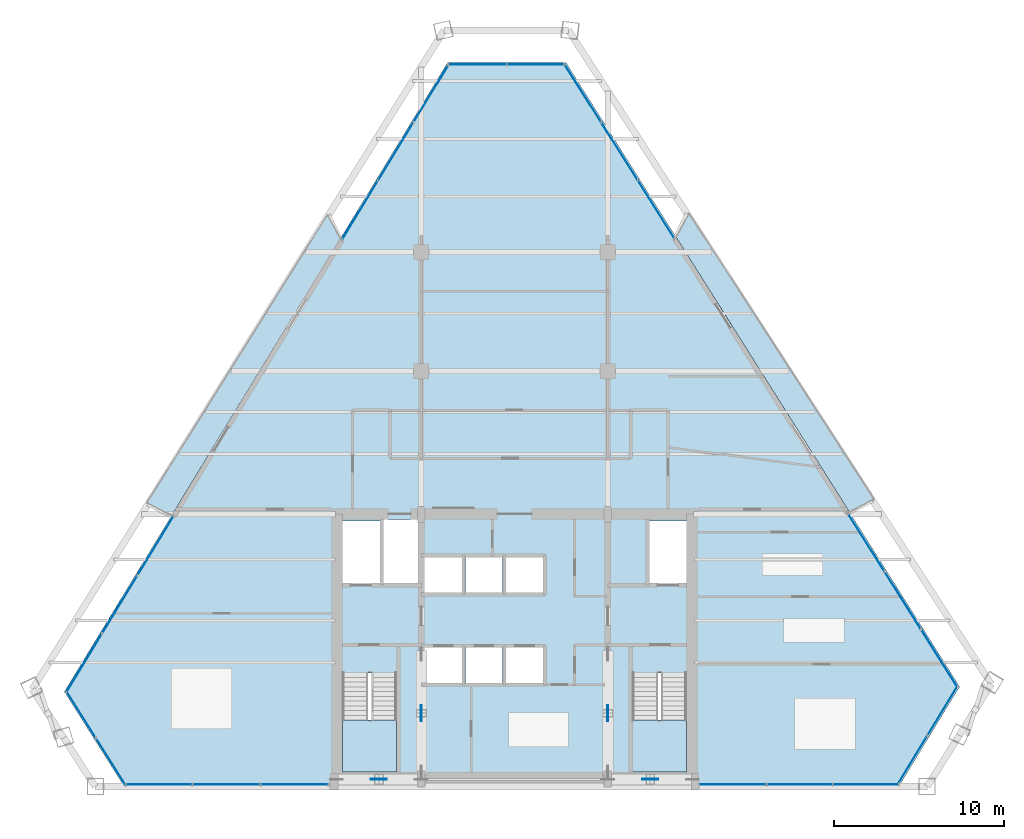
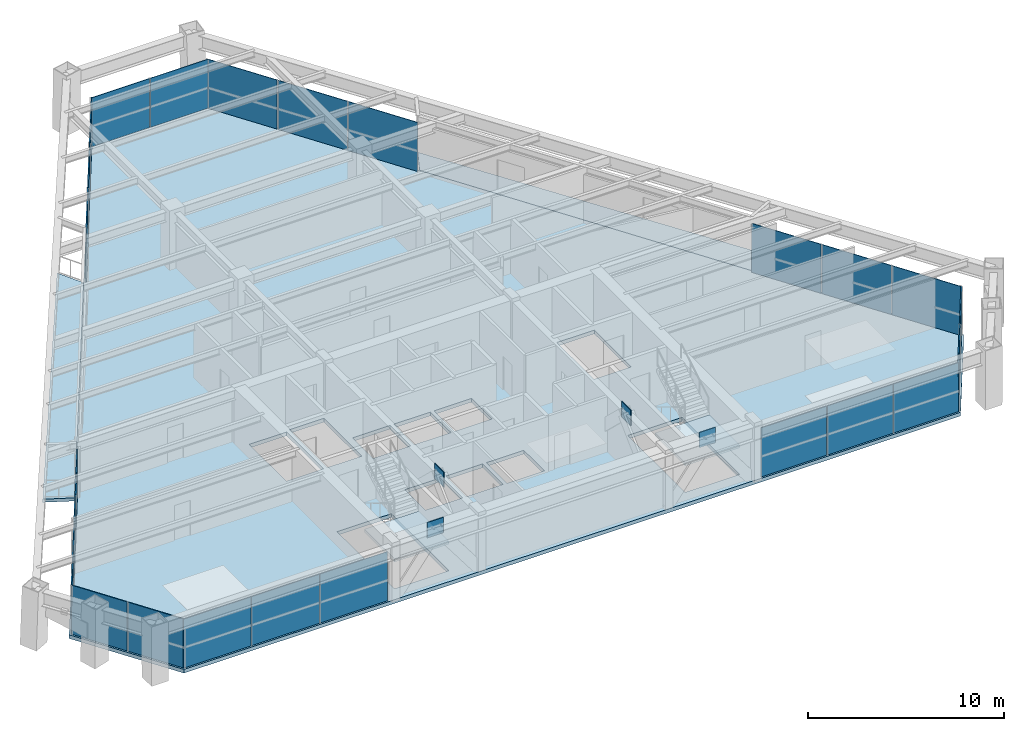
# One storey, part 8 of 13: 28 plates, 5 slabs, 11 elements without a shape of their own.
"""IFC4 building model written with IfcOpenShell, lengths in metres."""

import ifcopenshell
import ifcopenshell.guid

model = None  # the IFC model being written
_history = None  # IfcOwnerHistory: only IFC2X3 demands one
_inside = {}  # id of a spatial element -> (the spatial element, [elements in it])
_under = {}  # id of a project, library or spatial element -> (it, [spatial elements below it])
_declared = {}  # id of a project -> (the project, [libraries it declares])
_typed = {}  # id of a type object -> (the type object, [elements of that type])
_made_of = {}  # id of a material, layer set ... -> (it, [elements and type objects made of it])


def new_model(schema):
    """Start an empty IFC model of exactly this schema.

    Asked for "IFC4X3", IfcOpenShell would pick the latest addendum, in which some entities
    have other attributes; the version numbers below select the first issue.
    IFC2X3 requires an IfcOwnerHistory on every rooted entity: one is made here for all.
    """
    global model, _history
    if schema == "IFC4X3":
        model = ifcopenshell.file(schema_version=(4, 3, 0, 0))
    else:
        model = ifcopenshell.file(schema=schema)
    _inside.clear()
    _under.clear()
    _declared.clear()
    _typed.clear()
    _made_of.clear()
    _history = None
    if model.schema == "IFC2X3":
        org = make("IfcOrganization", Name="unknown")
        user = make(
            "IfcPersonAndOrganization",
            ThePerson=make("IfcPerson", FamilyName="unknown"),
            TheOrganization=org,
        )
        app = make(
            "IfcApplication",
            ApplicationDeveloper=org,
            Version="unknown",
            ApplicationFullName="unknown",
            ApplicationIdentifier="unknown",
        )
        _history = make(
            "IfcOwnerHistory",
            OwningUser=user,
            OwningApplication=app,
            ChangeAction="ADDED",
            CreationDate=0,
        )
    return model


def make(cls, **values):
    """One entity of the class cls with the attributes given. An attribute that is None is left unset."""
    return model.create_entity(
        cls, **{name: value for name, value in values.items() if value is not None}
    )


def rooted(cls, **values):
    """An entity with a GlobalId (a new one), such as an element, a storey or a relation."""
    return make(cls, GlobalId=ifcopenshell.guid.new(), OwnerHistory=_history, **values)


def si_unit(unit_type, name, prefix=None):
    """IfcSIUnit, for example si_unit("LENGTHUNIT", "METRE", prefix="MILLI")."""
    return make("IfcSIUnit", UnitType=unit_type, Prefix=prefix, Name=name)


def assignment(units):
    """IfcUnitAssignment: the units of a project."""
    return None if units is None else make("IfcUnitAssignment", Units=units)


def point(xyz):
    """IfcCartesianPoint."""
    return None if xyz is None else make("IfcCartesianPoint", Coordinates=xyz)


def direction(xyz):
    """IfcDirection."""
    return None if xyz is None else make("IfcDirection", DirectionRatios=xyz)


def frame(location, z_axis=None, x_axis=None):
    """IfcAxis2Placement3D, a coordinate frame: its origin and axes. An axis left out is left unset."""
    return make(
        "IfcAxis2Placement3D",
        Location=point(location),
        Axis=direction(z_axis),
        RefDirection=direction(x_axis),
    )


def frame_2d(location, x_axis=None):
    """IfcAxis2Placement2D, a coordinate frame in the plane: its origin and x axis."""
    return make(
        "IfcAxis2Placement2D", Location=point(location), RefDirection=direction(x_axis)
    )


def origin():
    """The frame at (0, 0, 0) with its axes left unset."""
    return frame((0.0, 0.0, 0.0))


def origin_2d():
    """The frame at (0, 0) in the plane with its x axis left unset."""
    return frame_2d((0.0, 0.0))


def place(relative_to, where):
    """IfcLocalPlacement: puts the frame where relative to a parent placement (None: the world)."""
    return make(
        "IfcLocalPlacement", PlacementRelTo=relative_to, RelativePlacement=where
    )


def context(
    kind, dimensions, precision=None, world=None, true_north=None, identifier=None
):
    """IfcGeometricRepresentationContext, for example the 3D "Model" context."""
    return make(
        "IfcGeometricRepresentationContext",
        ContextIdentifier=identifier,
        ContextType=kind,
        CoordinateSpaceDimension=dimensions,
        Precision=precision,
        WorldCoordinateSystem=world,
        TrueNorth=true_north,
    )


def subcontext(parent, identifier, kind, view, scale=None):
    """IfcGeometricRepresentationSubContext, for example "Body" below "Model"."""
    return make(
        "IfcGeometricRepresentationSubContext",
        ContextIdentifier=identifier,
        ContextType=kind,
        ParentContext=parent,
        TargetScale=scale,
        TargetView=view,
    )


def project(units=None, contexts=None):
    """IfcProject with its units and contexts."""
    return rooted(
        "IfcProject",
        Name="project",
        RepresentationContexts=contexts,
        UnitsInContext=assignment(units),
    )


def spatial(cls, under=None, at=None, **own):
    """A site, building, storey or space (cls), placed at a placement, below another one or the project."""
    s = rooted(cls, ObjectPlacement=at, **own)
    if under is not None:
        _under.setdefault(under.id(), (under, []))[1].append(s)
    return s


def polyline(points):
    """IfcPolyline through the points."""
    return make("IfcPolyline", Points=[point(p) for p in points])


def profile(cls, at=None, kind="AREA", **sizes):
    """A parametric profile (cls). Its sizes go by their IFC names, for example OverallWidth=200.0."""
    return make(cls, ProfileType=kind, Position=at, **sizes)


def rectangle(**sizes):
    """IfcRectangleProfileDef."""
    return profile("IfcRectangleProfileDef", **sizes)


def outline(outer, holes=None, kind="AREA"):
    """IfcArbitraryClosedProfileDef: a profile drawn as a closed curve; with holes, ...WithVoids."""
    if holes is None:
        return make("IfcArbitraryClosedProfileDef", ProfileType=kind, OuterCurve=outer)
    return make(
        "IfcArbitraryProfileDefWithVoids",
        ProfileType=kind,
        OuterCurve=outer,
        InnerCurves=holes,
    )


def extrude(swept, where, along, depth):
    """IfcExtrudedAreaSolid: the profile swept, set in the frame where, extruded along a direction by depth."""
    return make(
        "IfcExtrudedAreaSolid",
        SweptArea=swept,
        Position=where,
        ExtrudedDirection=direction(along),
        Depth=depth,
    )


def shape(context_of_items, identifier, shape_type, items):
    """IfcShapeRepresentation: the items that make up one representation, for example the "Body"."""
    return make(
        "IfcShapeRepresentation",
        ContextOfItems=context_of_items,
        RepresentationIdentifier=identifier,
        RepresentationType=shape_type,
        Items=items,
    )


def source(mapping_origin, context_of_items, identifier, shape_type, items):
    """IfcRepresentationMap: a shape defined once, which mapped items show again and again."""
    return make(
        "IfcRepresentationMap",
        MappingOrigin=mapping_origin,
        MappedRepresentation=shape(context_of_items, identifier, shape_type, items),
    )


def transform(
    local_origin,
    x_axis=None,
    y_axis=None,
    z_axis=None,
    scale=None,
    scale2=None,
    scale3=None,
    uniform=True,
):
    """IfcCartesianTransformationOperator3D, or its non-uniform kind. x_axis, y_axis, z_axis: its Axis1, 2, 3."""
    if uniform:
        return make(
            "IfcCartesianTransformationOperator3D",
            Axis1=direction(x_axis),
            Axis2=direction(y_axis),
            LocalOrigin=point(local_origin),
            Scale=scale,
            Axis3=direction(z_axis),
        )
    return make(
        "IfcCartesianTransformationOperator3DnonUniform",
        Axis1=direction(x_axis),
        Axis2=direction(y_axis),
        LocalOrigin=point(local_origin),
        Scale=scale,
        Axis3=direction(z_axis),
        Scale2=scale2,
        Scale3=scale3,
    )


def mapped(mapping_source, mapping_target):
    """IfcMappedItem: shows the shape of a source again, moved by a transform."""
    return make(
        "IfcMappedItem", MappingSource=mapping_source, MappingTarget=mapping_target
    )


def material(Name=None, Category=None):
    """IfcMaterial."""
    return make("IfcMaterial", Name=Name, Category=Category)


def layer(
    of_material, thickness, ventilated=None, Name=None, Category=None, Priority=None
):
    """IfcMaterialLayer: one layer of a wall or slab, of a material (None: an air gap)."""
    return make(
        "IfcMaterialLayer",
        Material=of_material,
        LayerThickness=thickness,
        IsVentilated=ventilated,
        Name=Name,
        Category=Category,
        Priority=Priority,
    )


def layer_set(layers, Name=None):
    """IfcMaterialLayerSet."""
    return make("IfcMaterialLayerSet", MaterialLayers=layers, LayerSetName=Name)


def made_of(thing, what):
    """Note that an element or type object is made of a material, layer set ...; save() writes the relation."""
    if what is not None:
        _made_of.setdefault(what.id(), (what, []))[1].append(thing)
    return thing


def type_object(cls, material=None, **own):
    """A type object (cls), such as IfcWallType, which elements share."""
    return made_of(rooted(cls, **own), material)


def element(
    cls,
    number,
    at=None,
    inside=None,
    cuts=None,
    type_object=None,
    material=None,
    context=None,
    identifier="Body",
    shape_type=None,
    held_by="IfcProductDefinitionShape",
    body=None,
    shapes=None,
    **own,
):
    """One element of the class cls, such as IfcWall. Its Tag is "e" and its number.

    at: its placement. inside: the storey or other place that contains it. cuts: it is an
    opening in that element (IfcRelVoidsElement). A single representation is given by context,
    identifier, shape_type and body (its items); several are given by shapes. held_by: the class
    of the entity that holds the representations. save() writes the other relations.
    """
    e = rooted(cls, Tag="e%d" % number, ObjectPlacement=at, **own)
    if body is not None:
        shapes = [shape(context, identifier, shape_type, body)]
    if shapes is not None:
        e.Representation = make(held_by, Representations=shapes)
    if inside is not None:
        _inside.setdefault(inside.id(), (inside, []))[1].append(e)
    if cuts is not None:
        rooted(
            "IfcRelVoidsElement", RelatingBuildingElement=cuts, RelatedOpeningElement=e
        )
    if type_object is not None:
        _typed.setdefault(type_object.id(), (type_object, []))[1].append(e)
    return made_of(e, material)


def aggregate(whole, parts):
    """IfcRelAggregates: a whole, such as a stair, and the parts it consists of."""
    return rooted("IfcRelAggregates", RelatingObject=whole, RelatedObjects=parts)


def save(model, path):
    """Write the relations noted so far, then the file.

    IfcRelAggregates (storeys below a building ...), IfcRelContainedInSpatialStructure (elements
    in a storey), IfcRelDefinesByType, IfcRelAssociatesMaterial and IfcRelDeclares: one each for
    every whole, place, type object, material and project.
    """
    for whole, parts in _under.values():
        aggregate(whole, parts)
    for where, things in _inside.values():
        rooted(
            "IfcRelContainedInSpatialStructure",
            RelatedElements=things,
            RelatingStructure=where,
        )
    for kind, things in _typed.values():
        rooted("IfcRelDefinesByType", RelatedObjects=things, RelatingType=kind)
    for what, things in _made_of.values():
        rooted("IfcRelAssociatesMaterial", RelatedObjects=things, RelatingMaterial=what)
    for by, libraries in _declared.values():
        rooted("IfcRelDeclares", RelatingContext=by, RelatedDefinitions=libraries)
    model.write(path)


model = new_model("IFC4")

# Units and contexts
model_context = context("Model", 3, precision=1e-05, world=origin(), true_north=direction((0.0, 1.0)))
body_context = subcontext(model_context, "Body", "Model", "MODEL_VIEW")
ifc_project = project(units=[si_unit("LENGTHUNIT", "METRE"), si_unit("AREAUNIT", "SQUARE_METRE"), si_unit("VOLUMEUNIT", "CUBIC_METRE"), si_unit("PLANEANGLEUNIT", "RADIAN"), si_unit("MASSUNIT", "GRAM", prefix="KILO")], contexts=[model_context])

# Site, building, storey
site_placement = place(None, origin())
site = spatial("IfcSite", under=ifc_project, at=site_placement, CompositionType="ELEMENT")
building_placement = place(site_placement, origin())
building = spatial("IfcBuilding", under=site, at=building_placement, Name="Varnakhor Terracotta Tower", CompositionType="ELEMENT")
storey_placement = place(building_placement, frame((0.0, 0.0, 204.300048828125)))
storey = spatial("IfcBuildingStorey", under=building, at=storey_placement, Name="L52", CompositionType="ELEMENT", Elevation=204.300048828125)

# Stair, slab
ifc_material_1 = material(Name="Concrete C40/50", Category="concrete")
stair_type = type_object("IfcStairType", Name="STR-CORE-OFFICE-1500", PredefinedType="HALF_TURN_STAIR", material=ifc_material_1)
stair_1_placement = place(storey_placement, origin())
stair_1 = element("IfcStair", 1, at=stair_1_placement, inside=storey, type_object=stair_type, Name="L52 Core Exit Stair ST-1", PredefinedType="HALF_TURN_STAIR")
ifc_layer_1 = layer(ifc_material_1, 0.179931640625, Name="Concrete C40/50")
ifc_layer_set_1 = layer_set([ifc_layer_1], Name="Concrete C40/50")
slab_type_1 = type_object("IfcSlabType", Name="SLB-LANDING-180", PredefinedType="LANDING", material=ifc_layer_set_1)
slab_1_placement = place(storey_placement, frame((0.0, 0.0, 1.64990234375)))
slab_1 = element("IfcSlab", 2, at=slab_1_placement, type_object=slab_type_1, Name="ST-1 landing 1", PredefinedType="LANDING", context=body_context, shape_type="SweptSolid", body=[
    extrude(outline(polyline([(-10.14990234375, 3.909912109375), (-10.14990234375, 0.85009765625), (-6.949951171875, 0.85009765625), (-6.949951171875, 3.909912109375), (-10.14990234375, 3.909912109375)])), origin(), (0.0, 0.0, 1.0), 0.199951171875),
])
aggregate(stair_1, [slab_1])

stair_2_placement = place(storey_placement, origin())
stair_2 = element("IfcStair", 3, at=stair_2_placement, inside=storey, type_object=stair_type, Name="L52 Core Exit Stair ST-2", PredefinedType="HALF_TURN_STAIR")
slab_2_placement = place(storey_placement, frame((0.0, 0.0, 1.64990234375)))
slab_2 = element("IfcSlab", 4, at=slab_2_placement, type_object=slab_type_1, Name="ST-2 landing 1", PredefinedType="LANDING", context=body_context, shape_type="SweptSolid", body=[
    extrude(outline(polyline([(6.949951171875, 3.909912109375), (6.949951171875, 0.85009765625), (10.14990234375, 0.85009765625), (10.14990234375, 3.909912109375), (6.949951171875, 3.909912109375)])), origin(), (0.0, 0.0, 1.0), 0.199951171875),
])
aggregate(stair_2, [slab_2])

# Slabs
ifc_layer_2 = layer(ifc_material_1, 0.195068359375, Name="Concrete C40/50")
ifc_layer_set_2 = layer_set([ifc_layer_2], Name="Concrete C40/50")
slab_type_2 = type_object("IfcSlabType", Name="SLB-LOGGIA-EXT-195", PredefinedType="FLOOR", material=ifc_layer_set_2)
slab_3_placement = place(storey_placement, frame((0.0, 0.0, -0.195068359375)))
element("IfcSlab", 5, at=slab_3_placement, inside=storey, type_object=slab_type_2, Name="L52 E Recessed Outdoor Loggia Slab", PredefinedType="FLOOR", context=body_context, shape_type="SweptSolid", body=[
    extrude(outline(polyline([(10.2607421875, 33.82958984375), (21.212158203125, 16.913818359375), (19.749267578125, 16.193603515625), (12.2041015625, 28.15673828125), (9.534912109375, 32.388671875), (10.2607421875, 33.82958984375)])), origin(), (0.0, 0.0, 1.0), 0.195068359375),
])
slab_4_placement = place(storey_placement, frame((0.0, 0.0, -0.195068359375)))
element("IfcSlab", 6, at=slab_4_placement, inside=storey, type_object=slab_type_2, Name="L52 W Recessed Outdoor Loggia Slab", PredefinedType="FLOOR", context=body_context, shape_type="SweptSolid", body=[
    extrude(outline(polyline([(-21.69873046875, 16.69287109375), (-11.010986328125, 33.743408203125), (-10.281494140625, 32.306396484375), (-11.674072265625, 30.0205078125), (-20.226318359375, 15.98193359375), (-21.69873046875, 16.69287109375)])), origin(), (0.0, 0.0, 1.0), 0.195068359375),
])
ifc_layer_3 = layer(ifc_material_1, 0.22998046875, Name="Concrete C40/50")
ifc_layer_set_3 = layer_set([ifc_layer_3], Name="Concrete C40/50")
slab_type_3 = type_object("IfcSlabType", Name="SLB-OFF-230", PredefinedType="FLOOR", material=ifc_layer_set_3)
slab_5_placement = place(storey_placement, frame((0.0, 0.0, -0.22998046875)))
element("IfcSlab", 7, at=slab_5_placement, inside=storey, type_object=slab_type_3, Name="L52 Structural Floor Slab", PredefinedType="FLOOR", context=body_context, shape_type="SweptSolid", body=[
    extrude(outline(polyline([(-26.5546875, 5.59375), (-3.952880859375, 42.694580078125), (3.03515625, 42.694580078125), (26.249267578125, 5.8876953125), (22.66259765625, 0.0), (-23.02685546875, 0.0), (-26.5546875, 5.59375)]), holes=[polyline([(-6.949951171875, 0.85009765625), (-6.949951171875, 6.695068359375), (-10.14990234375, 6.695068359375), (-10.14990234375, 0.85009765625), (-6.949951171875, 0.85009765625)]), polyline([(-3.10009765625, 6.10009765625), (-3.10009765625, 8.199951171875), (-5.300048828125, 8.199951171875), (-5.300048828125, 6.10009765625), (-3.10009765625, 6.10009765625)]), polyline([(-0.719970703125, 6.10009765625), (-0.719970703125, 8.199951171875), (-2.8798828125, 8.199951171875), (-2.8798828125, 6.10009765625), (-0.719970703125, 6.10009765625)]), polyline([(-5.300048828125, 11.419921875), (-3.10009765625, 11.419921875), (-3.10009765625, 13.52001953125), (-5.300048828125, 13.52001953125), (-5.300048828125, 11.419921875)]), polyline([(-10.14990234375, 11.8798828125), (-7.949951171875, 11.8798828125), (-7.949951171875, 15.64990234375), (-10.14990234375, 15.64990234375), (-10.14990234375, 11.8798828125)]), polyline([(-5.699951171875, 11.8798828125), (-5.699951171875, 15.75), (-7.72998046875, 15.75), (-7.72998046875, 11.8798828125), (-5.699951171875, 11.8798828125)]), polyline([(6.949951171875, 0.85009765625), (10.14990234375, 0.85009765625), (10.14990234375, 6.695068359375), (6.949951171875, 6.695068359375), (6.949951171875, 0.85009765625)]), polyline([(-0.5, 6.10009765625), (1.699951171875, 6.10009765625), (1.699951171875, 8.199951171875), (-0.5, 8.199951171875), (-0.5, 6.10009765625)]), polyline([(-0.719970703125, 11.419921875), (-0.719970703125, 13.52001953125), (-2.8798828125, 13.52001953125), (-2.8798828125, 11.419921875), (-0.719970703125, 11.419921875)]), polyline([(-0.5, 11.419921875), (1.699951171875, 11.419921875), (1.699951171875, 13.52001953125), (-0.5, 13.52001953125), (-0.5, 11.419921875)]), polyline([(7.949951171875, 11.8798828125), (10.14990234375, 11.8798828125), (10.14990234375, 15.64990234375), (7.949951171875, 15.64990234375), (7.949951171875, 11.8798828125)])]), origin(), (0.0, 0.0, 1.0), 0.22998046875),
])

# Plates
ifc_material_2 = material(Name="Steel S460", Category="steel")
ifc_layer_4 = layer(ifc_material_2, 0.050048828125, Name="Steel S460")
ifc_layer_set_4 = layer_set([ifc_layer_4], Name="Steel S460")
plate_type_1 = type_object("IfcPlateType", Name="PLT-GUSSET-50", PredefinedType="USERDEFINED", material=ifc_layer_set_4)
shared_shape_1 = source(origin(), body_context, "Body", "SweptSolid", [
    extrude(rectangle(XDim=0.949951171875, YDim=0.044921875, at=origin_2d()), origin(), (0.0, 0.0, 1.0), 0.949951171875),
])
for number, where, z_axis, x_axis, name in (
    (8, (-8.0, 0.419921875, 2.84521484375), (0.0, 0.0, 1.0), (1.0, 0.0, 0.0), "L52 Core Brace Apex Gusset CSW"),
    (9, (8.0, 0.419921875, 2.84521484375), (0.0, 0.0, 1.0), (1.0, 0.0, 0.0), "L52 Core Brace Apex Gusset CSE"),
    (10, (-5.5, 4.324951171875, 2.84521484375), (0.0, 0.0, 1.0), (0.0, 1.0, 0.0), "L52 Core Brace Apex Gusset CWW"),
    (11, (5.5, 4.324951171875, 2.84521484375), (0.0, 0.0, 1.0), (0.0, 1.0, 0.0), "L52 Core Brace Apex Gusset CWE"),
):
    element("IfcPlate", number, at=place(storey_placement, frame(where, z_axis=z_axis, x_axis=x_axis)), inside=storey, type_object=plate_type_1, Name=name, ObjectType="GUSSET PLATE", PredefinedType="USERDEFINED", context=body_context, shape_type="MappedRepresentation", body=[
        mapped(shared_shape_1, transform((0.0, 0.0, 0.0), scale=1.0)),
    ])

# Curtain wall, plates
ifc_material_3 = material(Name="Anodised Aluminium Curtain Wall System", Category="aluminium")
curtain_wall_type = type_object("IfcCurtainWallType", Name="CW-SYS-MID-OFFICE", PredefinedType="NOTDEFINED", material=ifc_material_3)
curtain_wall_1_placement = place(storey_placement, origin())
curtain_wall_1 = element("IfcCurtainWall", 12, at=curtain_wall_1_placement, inside=storey, type_object=curtain_wall_type, Name="L52 W Facet Curtain Wall 1", PredefinedType="NOTDEFINED")
ifc_material_4 = material(Name="Solar-Control Low-E Insulated Glass Panel", Category="glass")
ifc_layer_5 = layer(ifc_material_4, 0.035888671875, Name="Solar-Control Low-E Insulated Glass Panel")
ifc_layer_set_5 = layer_set([ifc_layer_5], Name="Solar-Control Low-E Insulated Glass Panel")
plate_type_2 = type_object("IfcPlateType", Name="CWP-03", PredefinedType="CURTAIN_PANEL", material=ifc_layer_set_5)
shared_shape_2 = source(origin(), body_context, "Body", "SweptSolid", [
    extrude(rectangle(XDim=3.99462890625, YDim=0.035888671875, at=origin_2d()), origin(), (0.0, 0.0, 1.0), 3.050048828125),
])
plate_1_placement = place(storey_placement, frame((-25.38720703125, 7.27978515625, 0.0), z_axis=(0.0, 0.0, 1.0), x_axis=(0.520264569962, 0.854005138885, 0.0)))
plate_1 = element("IfcPlate", 13, at=plate_1_placement, type_object=plate_type_2, Name="L52 W Facet Curtain Wall 1 Glazed Panel 1", PredefinedType="CURTAIN_PANEL", context=body_context, shape_type="MappedRepresentation", body=[
    mapped(shared_shape_2, transform((0.0, 0.0, 0.0), scale=1.0)),
])
plate_2_placement = place(storey_placement, frame((-23.2880859375, 10.725341796875, 0.0), z_axis=(0.0, 0.0, 1.0), x_axis=(0.520264569962, 0.854005138885, 0.0)))
plate_2 = element("IfcPlate", 14, at=plate_2_placement, type_object=plate_type_2, Name="L52 W Facet Curtain Wall 1 Glazed Panel 2", PredefinedType="CURTAIN_PANEL", context=body_context, shape_type="MappedRepresentation", body=[
    mapped(shared_shape_2, transform((0.0, 0.0, 0.0), scale=1.0)),
])
plate_3_placement = place(storey_placement, frame((-21.18896484375, 14.171142578125, 0.0), z_axis=(0.0, 0.0, 1.0), x_axis=(0.520264569962, 0.854005138885, 0.0)))
plate_3 = element("IfcPlate", 15, at=plate_3_placement, type_object=plate_type_2, Name="L52 W Facet Curtain Wall 1 Glazed Panel 3", PredefinedType="CURTAIN_PANEL", context=body_context, shape_type="MappedRepresentation", body=[
    mapped(shared_shape_2, transform((0.0, 0.0, 0.0), scale=1.0)),
])
aggregate(curtain_wall_1, [plate_1, plate_2, plate_3])

curtain_wall_2_placement = place(storey_placement, origin())
curtain_wall_2 = element("IfcCurtainWall", 16, at=curtain_wall_2_placement, inside=storey, type_object=curtain_wall_type, Name="L52 W Facet Curtain Wall 2", PredefinedType="NOTDEFINED")
plate_4_placement = place(storey_placement, frame((-9.11376953125, 33.992431640625, 0.0), z_axis=(0.0, 0.0, 1.0), x_axis=(0.520264569962, 0.854005138885, 0.0)))
plate_4 = element("IfcPlate", 17, at=plate_4_placement, type_object=plate_type_2, Name="L52 W Facet Curtain Wall 2 Glazed Panel 1", PredefinedType="CURTAIN_PANEL", context=body_context, shape_type="MappedRepresentation", body=[
    mapped(shared_shape_2, transform((0.0, 0.0, 0.0), scale=1.0)),
])
plate_5_placement = place(storey_placement, frame((-7.0146484375, 37.438232421875, 0.0), z_axis=(0.0, 0.0, 1.0), x_axis=(0.520264569962, 0.854005138885, 0.0)))
plate_5 = element("IfcPlate", 18, at=plate_5_placement, type_object=plate_type_2, Name="L52 W Facet Curtain Wall 2 Glazed Panel 2", PredefinedType="CURTAIN_PANEL", context=body_context, shape_type="MappedRepresentation", body=[
    mapped(shared_shape_2, transform((0.0, 0.0, 0.0), scale=1.0)),
])
plate_6_placement = place(storey_placement, frame((-4.915771484375, 40.8837890625, 0.0), z_axis=(0.0, 0.0, 1.0), x_axis=(0.520264569962, 0.854005138885, 0.0)))
plate_6 = element("IfcPlate", 19, at=plate_6_placement, type_object=plate_type_2, Name="L52 W Facet Curtain Wall 2 Glazed Panel 3", PredefinedType="CURTAIN_PANEL", context=body_context, shape_type="MappedRepresentation", body=[
    mapped(shared_shape_2, transform((0.0, 0.0, 0.0), scale=1.0)),
])
aggregate(curtain_wall_2, [plate_4, plate_5, plate_6])

curtain_wall_3_placement = place(storey_placement, origin())
curtain_wall_3 = element("IfcCurtainWall", 20, at=curtain_wall_3_placement, inside=storey, type_object=curtain_wall_type, Name="L52 Facet Curtain Wall 2", PredefinedType="NOTDEFINED")
shared_shape_3 = source(origin(), body_context, "Body", "SweptSolid", [
    extrude(rectangle(XDim=3.424072265625, YDim=0.035888671875, at=origin_2d()), origin(), (0.0, 0.0, 1.0), 3.050048828125),
])
plate_7_placement = place(storey_placement, frame((-2.19091796875, 42.57470703125, 0.0), z_axis=(0.0, 0.0, 1.0), x_axis=(1.0, 0.0, 0.0)))
plate_7 = element("IfcPlate", 21, at=plate_7_placement, type_object=plate_type_2, Name="L52 Facet Curtain Wall 2 Glazed Panel 1", PredefinedType="CURTAIN_PANEL", context=body_context, shape_type="MappedRepresentation", body=[
    mapped(shared_shape_3, transform((0.0, 0.0, 0.0), scale=1.0)),
])
plate_8_placement = place(storey_placement, frame((1.273193359375, 42.57470703125, 0.0), z_axis=(0.0, 0.0, 1.0), x_axis=(1.0, 0.0, 0.0)))
plate_8 = element("IfcPlate", 22, at=plate_8_placement, type_object=plate_type_2, Name="L52 Facet Curtain Wall 2 Glazed Panel 2", PredefinedType="CURTAIN_PANEL", context=body_context, shape_type="MappedRepresentation", body=[
    mapped(shared_shape_3, transform((0.0, 0.0, 0.0), scale=1.0)),
])
aggregate(curtain_wall_3, [plate_7, plate_8])

curtain_wall_4_placement = place(storey_placement, origin())
curtain_wall_4 = element("IfcCurtainWall", 23, at=curtain_wall_4_placement, inside=storey, type_object=curtain_wall_type, Name="L52 E Facet Curtain Wall 1", PredefinedType="NOTDEFINED")
shared_shape_4 = source(origin(), body_context, "Body", "SweptSolid", [
    extrude(rectangle(XDim=4.00146484375, YDim=0.035888671875, at=origin_2d()), origin(), (0.0, 0.0, 1.0), 3.050048828125),
])
plate_9_placement = place(storey_placement, frame((4.027587890625, 40.89599609375, 0.0), z_axis=(0.0, 0.0, 1.0), x_axis=(0.533452137997, -0.84583025275, 0.0)))
plate_9 = element("IfcPlate", 24, at=plate_9_placement, type_object=plate_type_2, Name="L52 E Facet Curtain Wall 1 Glazed Panel 1", PredefinedType="CURTAIN_PANEL", context=body_context, shape_type="MappedRepresentation", body=[
    mapped(shared_shape_4, transform((0.0, 0.0, 0.0), scale=1.0)),
])
plate_10_placement = place(storey_placement, frame((6.18359375, 37.477783203125, 0.0), z_axis=(0.0, 0.0, 1.0), x_axis=(0.533452137997, -0.84583025275, 0.0)))
plate_10 = element("IfcPlate", 25, at=plate_10_placement, type_object=plate_type_2, Name="L52 E Facet Curtain Wall 1 Glazed Panel 2", PredefinedType="CURTAIN_PANEL", context=body_context, shape_type="MappedRepresentation", body=[
    mapped(shared_shape_4, transform((0.0, 0.0, 0.0), scale=1.0)),
])
plate_11_placement = place(storey_placement, frame((8.339599609375, 34.059326171875, 0.0), z_axis=(0.0, 0.0, 1.0), x_axis=(0.533452137997, -0.84583025275, 0.0)))
plate_11 = element("IfcPlate", 26, at=plate_11_placement, type_object=plate_type_2, Name="L52 E Facet Curtain Wall 1 Glazed Panel 3", PredefinedType="CURTAIN_PANEL", context=body_context, shape_type="MappedRepresentation", body=[
    mapped(shared_shape_4, transform((0.0, 0.0, 0.0), scale=1.0)),
])
aggregate(curtain_wall_4, [plate_9, plate_10, plate_11])

curtain_wall_5_placement = place(storey_placement, origin())
curtain_wall_5 = element("IfcCurtainWall", 27, at=curtain_wall_5_placement, inside=storey, type_object=curtain_wall_type, Name="L52 E Facet Curtain Wall 2", PredefinedType="NOTDEFINED")
plate_12_placement = place(storey_placement, frame((20.74169921875, 14.39501953125, 0.0), z_axis=(0.0, 0.0, 1.0), x_axis=(0.533452137997, -0.84583025275, 0.0)))
plate_12 = element("IfcPlate", 28, at=plate_12_placement, type_object=plate_type_2, Name="L52 E Facet Curtain Wall 2 Glazed Panel 1", PredefinedType="CURTAIN_PANEL", context=body_context, shape_type="MappedRepresentation", body=[
    mapped(shared_shape_4, transform((0.0, 0.0, 0.0), scale=1.0)),
])
plate_13_placement = place(storey_placement, frame((22.897705078125, 10.9765625, 0.0), z_axis=(0.0, 0.0, 1.0), x_axis=(0.533452137997, -0.84583025275, 0.0)))
plate_13 = element("IfcPlate", 29, at=plate_13_placement, type_object=plate_type_2, Name="L52 E Facet Curtain Wall 2 Glazed Panel 2", PredefinedType="CURTAIN_PANEL", context=body_context, shape_type="MappedRepresentation", body=[
    mapped(shared_shape_4, transform((0.0, 0.0, 0.0), scale=1.0)),
])
plate_14_placement = place(storey_placement, frame((25.0537109375, 7.55810546875, 0.0), z_axis=(0.0, 0.0, 1.0), x_axis=(0.533452137997, -0.84583025275, 0.0)))
plate_14 = element("IfcPlate", 30, at=plate_14_placement, type_object=plate_type_2, Name="L52 E Facet Curtain Wall 2 Glazed Panel 3", PredefinedType="CURTAIN_PANEL", context=body_context, shape_type="MappedRepresentation", body=[
    mapped(shared_shape_4, transform((0.0, 0.0, 0.0), scale=1.0)),
])
aggregate(curtain_wall_5, [plate_12, plate_13, plate_14])

curtain_wall_6_placement = place(storey_placement, origin())
curtain_wall_6 = element("IfcCurtainWall", 31, at=curtain_wall_6_placement, inside=storey, type_object=curtain_wall_type, Name="L52 Facet Curtain Wall 4", PredefinedType="NOTDEFINED")
shared_shape_5 = source(origin(), body_context, "Body", "SweptSolid", [
    extrude(rectangle(XDim=3.376953125, YDim=0.035888671875, at=origin_2d()), origin(), (0.0, 0.0, 1.0), 3.050048828125),
])
plate_15_placement = place(storey_placement, frame((25.2421875, 4.46533203125, 0.0), z_axis=(0.0, 0.0, 1.0), x_axis=(-0.520264569962, -0.854005138885, 0.0)))
plate_15 = element("IfcPlate", 32, at=plate_15_placement, type_object=plate_type_2, Name="L52 Facet Curtain Wall 4 Glazed Panel 1", PredefinedType="CURTAIN_PANEL", context=body_context, shape_type="MappedRepresentation", body=[
    mapped(shared_shape_5, transform((0.0, 0.0, 0.0), scale=1.0)),
])
plate_16_placement = place(storey_placement, frame((23.464599609375, 1.547119140625, 0.0), z_axis=(0.0, 0.0, 1.0), x_axis=(-0.520264569962, -0.854005138885, 0.0)))
plate_16 = element("IfcPlate", 33, at=plate_16_placement, type_object=plate_type_2, Name="L52 Facet Curtain Wall 4 Glazed Panel 2", PredefinedType="CURTAIN_PANEL", context=body_context, shape_type="MappedRepresentation", body=[
    mapped(shared_shape_5, transform((0.0, 0.0, 0.0), scale=1.0)),
])
aggregate(curtain_wall_6, [plate_15, plate_16])

curtain_wall_7_placement = place(storey_placement, origin())
curtain_wall_7 = element("IfcCurtainWall", 34, at=curtain_wall_7_placement, inside=storey, type_object=curtain_wall_type, Name="L52 South Wing Curtain Wall SSE", PredefinedType="NOTDEFINED")
shared_shape_6 = source(origin(), body_context, "Body", "SweptSolid", [
    extrude(rectangle(XDim=3.854248046875, YDim=0.035888671875, at=origin_2d()), origin(), (0.0, 0.0, 1.0), 3.050048828125),
])
plate_17_placement = place(storey_placement, frame((20.705322265625, 0.1201171875, 0.0), z_axis=(0.0, 0.0, 1.0), x_axis=(-1.0, 0.0, 0.0)))
plate_17 = element("IfcPlate", 35, at=plate_17_placement, type_object=plate_type_2, Name="L52 South Wing Curtain Wall SSE Glazed Panel 1", PredefinedType="CURTAIN_PANEL", context=body_context, shape_type="MappedRepresentation", body=[
    mapped(shared_shape_6, transform((0.0, 0.0, 0.0), scale=1.0)),
])
plate_18_placement = place(storey_placement, frame((12.9169921875, 0.1201171875, 0.0), z_axis=(0.0, 0.0, 1.0), x_axis=(-1.0, 0.0, 0.0)))
plate_18 = element("IfcPlate", 36, at=plate_18_placement, type_object=plate_type_2, Name="L52 South Wing Curtain Wall SSE Glazed Panel 3", PredefinedType="CURTAIN_PANEL", context=body_context, shape_type="MappedRepresentation", body=[
    mapped(shared_shape_6, transform((0.0, 0.0, 0.0), scale=1.0)),
])
shared_shape_7 = source(origin(), body_context, "Body", "SweptSolid", [
    extrude(rectangle(XDim=3.85400390625, YDim=0.035888671875, at=origin_2d()), origin(), (0.0, 0.0, 1.0), 3.050048828125),
])
plate_19_placement = place(storey_placement, frame((16.811279296875, 0.1201171875, 0.0), z_axis=(0.0, 0.0, 1.0), x_axis=(-1.0, 0.0, 0.0)))
plate_19 = element("IfcPlate", 37, at=plate_19_placement, type_object=plate_type_2, Name="L52 South Wing Curtain Wall SSE Glazed Panel 2", PredefinedType="CURTAIN_PANEL", context=body_context, shape_type="MappedRepresentation", body=[
    mapped(shared_shape_7, transform((0.0, 0.0, 0.0), scale=1.0)),
])
aggregate(curtain_wall_7, [plate_17, plate_19, plate_18])

curtain_wall_8_placement = place(storey_placement, origin())
curtain_wall_8 = element("IfcCurtainWall", 38, at=curtain_wall_8_placement, inside=storey, type_object=curtain_wall_type, Name="L52 South Wing Curtain Wall SSW", PredefinedType="NOTDEFINED")
shared_shape_8 = source(origin(), body_context, "Body", "SweptSolid", [
    extrude(rectangle(XDim=3.9755859375, YDim=0.035888671875, at=origin_2d()), origin(), (0.0, 0.0, 1.0), 3.050048828125),
])
plate_20_placement = place(storey_placement, frame((-12.977783203125, 0.1201171875, 0.0), z_axis=(0.0, 0.0, 1.0), x_axis=(-1.0, 0.0, 0.0)))
plate_20 = element("IfcPlate", 39, at=plate_20_placement, type_object=plate_type_2, Name="L52 South Wing Curtain Wall SSW Glazed Panel 1", PredefinedType="CURTAIN_PANEL", context=body_context, shape_type="MappedRepresentation", body=[
    mapped(shared_shape_8, transform((0.0, 0.0, 0.0), scale=1.0)),
])
plate_21_placement = place(storey_placement, frame((-16.993408203125, 0.1201171875, 0.0), z_axis=(0.0, 0.0, 1.0), x_axis=(-1.0, 0.0, 0.0)))
plate_21 = element("IfcPlate", 40, at=plate_21_placement, type_object=plate_type_2, Name="L52 South Wing Curtain Wall SSW Glazed Panel 2", PredefinedType="CURTAIN_PANEL", context=body_context, shape_type="MappedRepresentation", body=[
    mapped(shared_shape_8, transform((0.0, 0.0, 0.0), scale=1.0)),
])
plate_22_placement = place(storey_placement, frame((-21.009033203125, 0.1201171875, 0.0), z_axis=(0.0, 0.0, 1.0), x_axis=(-1.0, 0.0, 0.0)))
plate_22 = element("IfcPlate", 41, at=plate_22_placement, type_object=plate_type_2, Name="L52 South Wing Curtain Wall SSW Glazed Panel 3", PredefinedType="CURTAIN_PANEL", context=body_context, shape_type="MappedRepresentation", body=[
    mapped(shared_shape_8, transform((0.0, 0.0, 0.0), scale=1.0)),
])
aggregate(curtain_wall_8, [plate_20, plate_21, plate_22])

curtain_wall_9_placement = place(storey_placement, origin())
curtain_wall_9 = element("IfcCurtainWall", 42, at=curtain_wall_9_placement, inside=storey, type_object=curtain_wall_type, Name="L52 Facet Curtain Wall 6", PredefinedType="NOTDEFINED")
shared_shape_9 = source(origin(), body_context, "Body", "SweptSolid", [
    extrude(rectangle(XDim=3.23681640625, YDim=0.035888671875, at=origin_2d()), origin(), (0.0, 0.0, 1.0), 3.050048828125),
])
plate_23_placement = place(storey_placement, frame((-23.8154296875, 1.47509765625, 0.0), z_axis=(0.0, 0.0, 1.0), x_axis=(-0.533452137997, 0.84583025275, 0.0)))
plate_23 = element("IfcPlate", 43, at=plate_23_placement, type_object=plate_type_2, Name="L52 Facet Curtain Wall 6 Glazed Panel 1", PredefinedType="CURTAIN_PANEL", context=body_context, shape_type="MappedRepresentation", body=[
    mapped(shared_shape_9, transform((0.0, 0.0, 0.0), scale=1.0)),
])
shared_shape_10 = source(origin(), body_context, "Body", "SweptSolid", [
    extrude(rectangle(XDim=3.236572265625, YDim=0.035888671875, at=origin_2d()), origin(), (0.0, 0.0, 1.0), 3.050048828125),
])
plate_24_placement = place(storey_placement, frame((-25.563232421875, 4.24658203125, 0.0), z_axis=(0.0, 0.0, 1.0), x_axis=(-0.533452137997, 0.84583025275, 0.0)))
plate_24 = element("IfcPlate", 44, at=plate_24_placement, type_object=plate_type_2, Name="L52 Facet Curtain Wall 6 Glazed Panel 2", PredefinedType="CURTAIN_PANEL", context=body_context, shape_type="MappedRepresentation", body=[
    mapped(shared_shape_10, transform((0.0, 0.0, 0.0), scale=1.0)),
])
aggregate(curtain_wall_9, [plate_23, plate_24])

save(model, "model.ifc")
